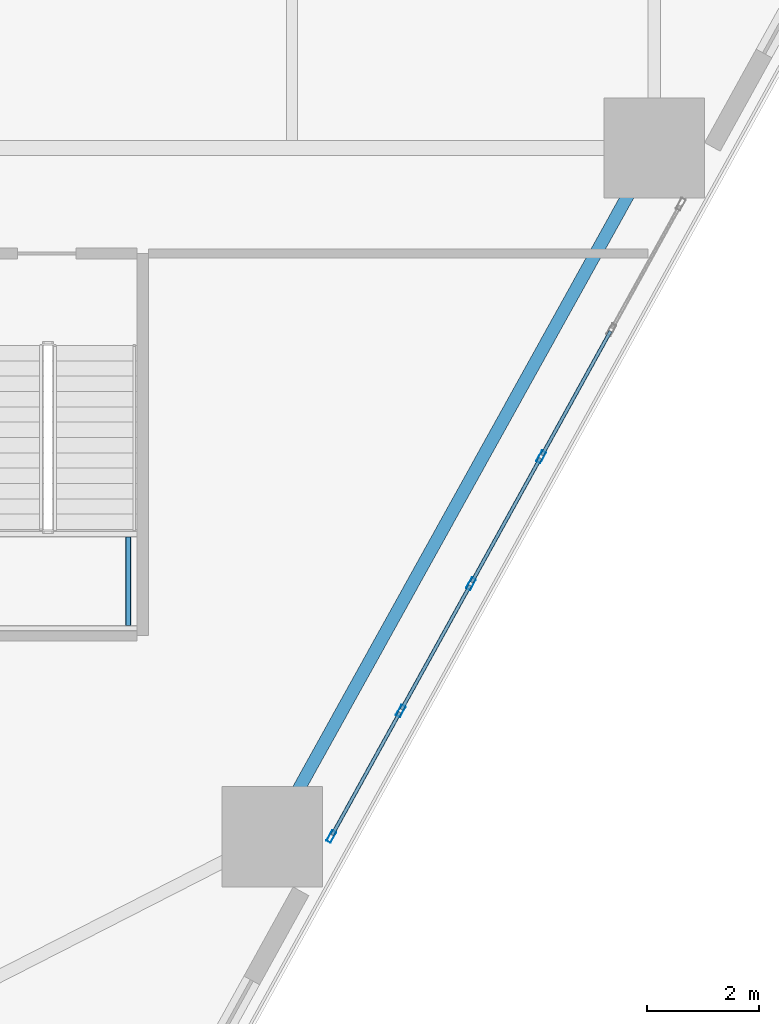
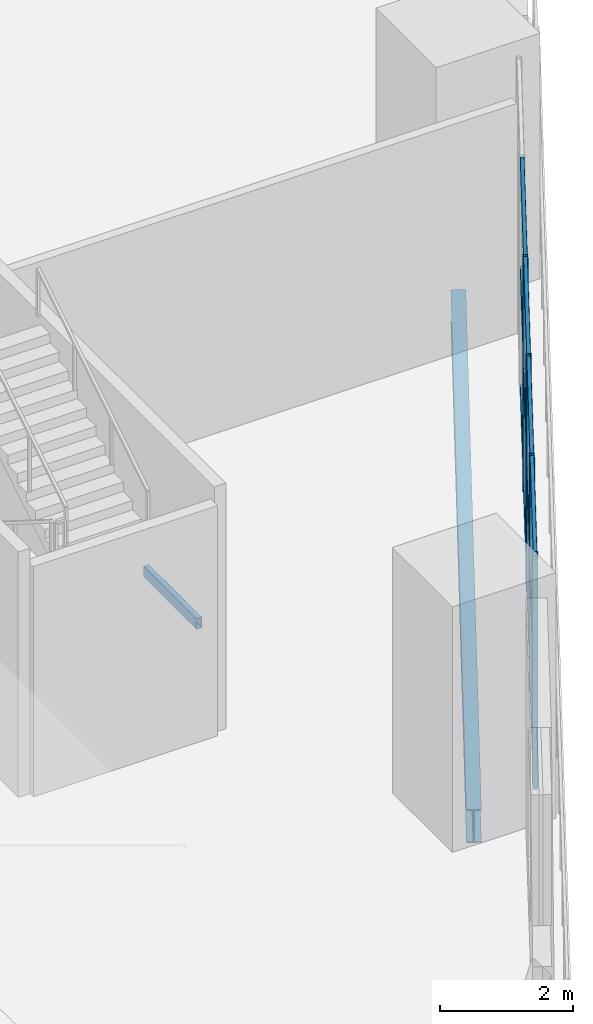
# One storey, part 2 of 18: 16 members, 2 beams, 1 element without a shape of its own.
"""IFC4 building model written with IfcOpenShell, lengths in metres."""

from ifc_helpers import new_model, si_unit, direction, frame, origin, origin_2d, place, context, subcontext, project, spatial, hollow_rectangle, i_section, extrude, material, layer, layer_set, material_profile, profile_set, type_object, element, aggregate, save


model = new_model("IFC4")

# Units and contexts
model_context = context("Model", 3, precision=1e-05, world=origin(), true_north=direction((0.0, 1.0)))
body_context = subcontext(model_context, "Body", "Model", "MODEL_VIEW")
ifc_project = project(units=[si_unit("LENGTHUNIT", "METRE"), si_unit("AREAUNIT", "SQUARE_METRE"), si_unit("VOLUMEUNIT", "CUBIC_METRE"), si_unit("PLANEANGLEUNIT", "RADIAN"), si_unit("MASSUNIT", "GRAM", prefix="KILO")], contexts=[model_context])

# Site, building, storey
site_placement = place(None, origin())
site = spatial("IfcSite", under=ifc_project, at=site_placement, CompositionType="ELEMENT")
building_placement = place(site_placement, origin())
building = spatial("IfcBuilding", under=site, at=building_placement, Name="Cinnabar Lancet Tower", CompositionType="ELEMENT")
storey_placement = place(building_placement, frame((0.0, 0.0, 15.0)))
storey = spatial("IfcBuildingStorey", under=building, at=storey_placement, Name="L03", CompositionType="ELEMENT", Elevation=15.0)

# Curtain wall, members
ifc_material_1 = material(Name="Thermally broken bronze-anodized aluminium and low-E glass", Category="aluminium")
ifc_layer = layer(ifc_material_1, 0.179931640625)
ifc_layer_set = layer_set([ifc_layer], Name="Thermally broken bronze-anodized aluminium and low-E glass")
curtain_wall_type = type_object("IfcCurtainWallType", Name="ENV-CW-SYS-02", PredefinedType="NOTDEFINED", material=ifc_layer_set)
curtain_wall_placement = place(storey_placement, origin())
curtain_wall = element("IfcCurtainWall", 1, at=curtain_wall_placement, inside=storey, type_object=curtain_wall_type, Name="L03 Face 2 Feature Curtain Wall", PredefinedType="NOTDEFINED")
ifc_material_2 = material(Name="Anodized architectural aluminium 6063-T6", Category="aluminium")
ifc_material_profile_1 = material_profile(ifc_material_2, hollow_rectangle(XDim=0.0849609375, YDim=0.219970703125, WallThickness=0.0048828125, InnerFilletRadius=0.00244140625, OuterFilletRadius=0.007568359375, at=origin_2d()), Name="CW-MUL 220x85x5")
ifc_profile_set_1 = profile_set([ifc_material_profile_1], Name="Anodized architectural aluminium 6063-T6")
member_type_1 = type_object("IfcMemberType", Name="ENV-CW-MUL-220", PredefinedType="MULLION", material=ifc_profile_set_1)
member_1_placement = place(storey_placement, frame((54.1005859375, 7.34619140625, 0.0), z_axis=(0.0, 0.0, 1.0), x_axis=(-0.875242391442, 0.48368456273, 0.0)))
member_1 = element("IfcMember", 2, at=member_1_placement, type_object=member_type_1, Name="CW-02 mullion 1", PredefinedType="MULLION", context=body_context, shape_type="SweptSolid", body=[
    extrude(hollow_rectangle(XDim=0.0849609375, YDim=0.219970703125, WallThickness=0.0048828125, InnerFilletRadius=0.00244140625, OuterFilletRadius=0.007568359375, at=origin_2d()), origin(), (0.0, 0.0, 1.0), 4.219970703125),
])
member_2_placement = place(storey_placement, frame((55.344970703125, 9.59814453125, 0.0), z_axis=(0.0, 0.0, 1.0), x_axis=(-0.875242391442, 0.48368456273, 0.0)))
member_2 = element("IfcMember", 3, at=member_2_placement, type_object=member_type_1, Name="CW-02 mullion 2", PredefinedType="MULLION", context=body_context, shape_type="SweptSolid", body=[
    extrude(hollow_rectangle(XDim=0.0849609375, YDim=0.219970703125, WallThickness=0.0048828125, InnerFilletRadius=0.00244140625, OuterFilletRadius=0.007568359375, at=origin_2d()), origin(), (0.0, 0.0, 1.0), 4.219970703125),
])
member_3_placement = place(storey_placement, frame((56.60400390625, 11.87646484375, 0.0), z_axis=(0.0, 0.0, 1.0), x_axis=(-0.875242391442, 0.48368456273, 0.0)))
member_3 = element("IfcMember", 4, at=member_3_placement, type_object=member_type_1, Name="CW-02 mullion 3", PredefinedType="MULLION", context=body_context, shape_type="SweptSolid", body=[
    extrude(hollow_rectangle(XDim=0.0849609375, YDim=0.219970703125, WallThickness=0.0048828125, InnerFilletRadius=0.00244140625, OuterFilletRadius=0.007568359375, at=origin_2d()), origin(), (0.0, 0.0, 1.0), 4.219970703125),
])
member_4_placement = place(storey_placement, frame((57.863037109375, 14.154541015625, 0.0), z_axis=(0.0, 0.0, 1.0), x_axis=(-0.875242391442, 0.48368456273, 0.0)))
member_4 = element("IfcMember", 5, at=member_4_placement, type_object=member_type_1, Name="CW-02 mullion 4", PredefinedType="MULLION", context=body_context, shape_type="SweptSolid", body=[
    extrude(hollow_rectangle(XDim=0.0849609375, YDim=0.219970703125, WallThickness=0.0048828125, InnerFilletRadius=0.00244140625, OuterFilletRadius=0.007568359375, at=origin_2d()), origin(), (0.0, 0.0, 1.0), 4.219970703125),
])
ifc_material_3 = material(Name="Anodized architectural aluminium 6063-T6", Category="aluminium")
ifc_material_profile_2 = material_profile(ifc_material_3, hollow_rectangle(XDim=0.06494140625, YDim=0.14990234375, WallThickness=0.00390625, InnerFilletRadius=0.001953125, OuterFilletRadius=0.006103515625, at=origin_2d()), Name="CW-TRN 150x65x4")
ifc_profile_set_2 = profile_set([ifc_material_profile_2], Name="Anodized architectural aluminium 6063-T6")
member_type_2 = type_object("IfcMemberType", Name="ENV-CW-TRN-160", PredefinedType="USERDEFINED", material=ifc_profile_set_2)
member_5_placement = place(storey_placement, frame((54.114990234375, 7.37255859375, 0.030029296875), z_axis=(0.483711571576, 0.875227465019, 0.0), x_axis=(-0.875227465019, 0.483711571576, 0.0)))
member_5 = element("IfcMember", 6, at=member_5_placement, type_object=member_type_2, Name="CW-02 transom 1.1", ObjectType="TRANSOM", PredefinedType="USERDEFINED", context=body_context, shape_type="SweptSolid", body=[
    extrude(hollow_rectangle(XDim=0.06494140625, YDim=0.14990234375, WallThickness=0.00390625, InnerFilletRadius=0.001953125, OuterFilletRadius=0.006103515625, at=origin_2d()), origin(), (0.0, 0.0, 1.0), 2.512939453125),
])
member_6_placement = place(storey_placement, frame((54.114990234375, 7.37255859375, 2.194091796875), z_axis=(0.483711571576, 0.875227465019, 0.0), x_axis=(-0.875227465019, 0.483711571576, 0.0)))
member_6 = element("IfcMember", 7, at=member_6_placement, type_object=member_type_2, Name="CW-02 transom 1.2", ObjectType="TRANSOM", PredefinedType="USERDEFINED", context=body_context, shape_type="SweptSolid", body=[
    extrude(hollow_rectangle(XDim=0.06494140625, YDim=0.14990234375, WallThickness=0.00390625, InnerFilletRadius=0.001953125, OuterFilletRadius=0.006103515625, at=origin_2d()), origin(), (0.0, 0.0, 1.0), 2.512939453125),
])
member_7_placement = place(storey_placement, frame((54.114990234375, 7.37255859375, 4.18994140625), z_axis=(0.483711571576, 0.875227465019, 0.0), x_axis=(-0.875227465019, 0.483711571576, 0.0)))
member_7 = element("IfcMember", 8, at=member_7_placement, type_object=member_type_2, Name="CW-02 transom 1.3", ObjectType="TRANSOM", PredefinedType="USERDEFINED", context=body_context, shape_type="SweptSolid", body=[
    extrude(hollow_rectangle(XDim=0.06494140625, YDim=0.14990234375, WallThickness=0.00390625, InnerFilletRadius=0.001953125, OuterFilletRadius=0.006103515625, at=origin_2d()), origin(), (0.0, 0.0, 1.0), 2.512939453125),
])
member_8_placement = place(storey_placement, frame((55.359619140625, 9.62451171875, 0.030029296875), z_axis=(0.483701595558, 0.875232978386, 0.0), x_axis=(-0.875232978386, 0.483701595558, 0.0)))
member_8 = element("IfcMember", 9, at=member_8_placement, type_object=member_type_2, Name="CW-02 transom 2.1", ObjectType="TRANSOM", PredefinedType="USERDEFINED", context=body_context, shape_type="SweptSolid", body=[
    extrude(hollow_rectangle(XDim=0.06494140625, YDim=0.14990234375, WallThickness=0.00390625, InnerFilletRadius=0.001953125, OuterFilletRadius=0.006103515625, at=origin_2d()), origin(), (0.0, 0.0, 1.0), 2.54296875),
])
member_9_placement = place(storey_placement, frame((55.359619140625, 9.62451171875, 2.194091796875), z_axis=(0.483701595558, 0.875232978386, 0.0), x_axis=(-0.875232978386, 0.483701595558, 0.0)))
member_9 = element("IfcMember", 10, at=member_9_placement, type_object=member_type_2, Name="CW-02 transom 2.2", ObjectType="TRANSOM", PredefinedType="USERDEFINED", context=body_context, shape_type="SweptSolid", body=[
    extrude(hollow_rectangle(XDim=0.06494140625, YDim=0.14990234375, WallThickness=0.00390625, InnerFilletRadius=0.001953125, OuterFilletRadius=0.006103515625, at=origin_2d()), origin(), (0.0, 0.0, 1.0), 2.54296875),
])
member_10_placement = place(storey_placement, frame((55.359619140625, 9.62451171875, 4.18994140625), z_axis=(0.483701595558, 0.875232978386, 0.0), x_axis=(-0.875232978386, 0.483701595558, 0.0)))
member_10 = element("IfcMember", 11, at=member_10_placement, type_object=member_type_2, Name="CW-02 transom 2.3", ObjectType="TRANSOM", PredefinedType="USERDEFINED", context=body_context, shape_type="SweptSolid", body=[
    extrude(hollow_rectangle(XDim=0.06494140625, YDim=0.14990234375, WallThickness=0.00390625, InnerFilletRadius=0.001953125, OuterFilletRadius=0.006103515625, at=origin_2d()), origin(), (0.0, 0.0, 1.0), 2.54296875),
])
member_11_placement = place(storey_placement, frame((56.618408203125, 11.902587890625, 0.030029296875), z_axis=(0.483660952196, 0.875255438898, 0.0), x_axis=(-0.875255438898, 0.483660952196, 0.0)))
member_11 = element("IfcMember", 12, at=member_11_placement, type_object=member_type_2, Name="CW-02 transom 3.1", ObjectType="TRANSOM", PredefinedType="USERDEFINED", context=body_context, shape_type="SweptSolid", body=[
    extrude(hollow_rectangle(XDim=0.06494140625, YDim=0.14990234375, WallThickness=0.00390625, InnerFilletRadius=0.001953125, OuterFilletRadius=0.006103515625, at=origin_2d()), origin(), (0.0, 0.0, 1.0), 2.54296875),
])
member_12_placement = place(storey_placement, frame((56.618408203125, 11.902587890625, 2.194091796875), z_axis=(0.483660952196, 0.875255438898, 0.0), x_axis=(-0.875255438898, 0.483660952196, 0.0)))
member_12 = element("IfcMember", 13, at=member_12_placement, type_object=member_type_2, Name="CW-02 transom 3.2", ObjectType="TRANSOM", PredefinedType="USERDEFINED", context=body_context, shape_type="SweptSolid", body=[
    extrude(hollow_rectangle(XDim=0.06494140625, YDim=0.14990234375, WallThickness=0.00390625, InnerFilletRadius=0.001953125, OuterFilletRadius=0.006103515625, at=origin_2d()), origin(), (0.0, 0.0, 1.0), 2.54296875),
])
member_13_placement = place(storey_placement, frame((56.618408203125, 11.902587890625, 4.18994140625), z_axis=(0.483660952196, 0.875255438898, 0.0), x_axis=(-0.875255438898, 0.483660952196, 0.0)))
member_13 = element("IfcMember", 14, at=member_13_placement, type_object=member_type_2, Name="CW-02 transom 3.3", ObjectType="TRANSOM", PredefinedType="USERDEFINED", context=body_context, shape_type="SweptSolid", body=[
    extrude(hollow_rectangle(XDim=0.06494140625, YDim=0.14990234375, WallThickness=0.00390625, InnerFilletRadius=0.001953125, OuterFilletRadius=0.006103515625, at=origin_2d()), origin(), (0.0, 0.0, 1.0), 2.54296875),
])
member_14_placement = place(storey_placement, frame((57.87744140625, 14.180908203125, 0.030029296875), z_axis=(0.483701595558, 0.875232978386, 0.0), x_axis=(-0.875232978386, 0.483701595558, 0.0)))
member_14 = element("IfcMember", 15, at=member_14_placement, type_object=member_type_2, Name="CW-02 transom 4.1", ObjectType="TRANSOM", PredefinedType="USERDEFINED", context=body_context, shape_type="SweptSolid", body=[
    extrude(hollow_rectangle(XDim=0.06494140625, YDim=0.14990234375, WallThickness=0.00390625, InnerFilletRadius=0.001953125, OuterFilletRadius=0.006103515625, at=origin_2d()), origin(), (0.0, 0.0, 1.0), 2.54296875),
])
member_15_placement = place(storey_placement, frame((57.87744140625, 14.180908203125, 2.194091796875), z_axis=(0.483701595558, 0.875232978386, 0.0), x_axis=(-0.875232978386, 0.483701595558, 0.0)))
member_15 = element("IfcMember", 16, at=member_15_placement, type_object=member_type_2, Name="CW-02 transom 4.2", ObjectType="TRANSOM", PredefinedType="USERDEFINED", context=body_context, shape_type="SweptSolid", body=[
    extrude(hollow_rectangle(XDim=0.06494140625, YDim=0.14990234375, WallThickness=0.00390625, InnerFilletRadius=0.001953125, OuterFilletRadius=0.006103515625, at=origin_2d()), origin(), (0.0, 0.0, 1.0), 2.54296875),
])
member_16_placement = place(storey_placement, frame((57.87744140625, 14.180908203125, 4.18994140625), z_axis=(0.483701595558, 0.875232978386, 0.0), x_axis=(-0.875232978386, 0.483701595558, 0.0)))
member_16 = element("IfcMember", 17, at=member_16_placement, type_object=member_type_2, Name="CW-02 transom 4.3", ObjectType="TRANSOM", PredefinedType="USERDEFINED", context=body_context, shape_type="SweptSolid", body=[
    extrude(hollow_rectangle(XDim=0.06494140625, YDim=0.14990234375, WallThickness=0.00390625, InnerFilletRadius=0.001953125, OuterFilletRadius=0.006103515625, at=origin_2d()), origin(), (0.0, 0.0, 1.0), 2.54296875),
])
aggregate(curtain_wall, [member_1, member_2, member_3, member_4, member_5, member_6, member_7, member_8, member_9, member_10, member_11, member_12, member_13, member_14, member_15, member_16])

# Beams
ifc_material_4 = material(Name="Structural steel S355", Category="steel")
ifc_material_profile_3 = material_profile(ifc_material_4, hollow_rectangle(XDim=0.10009765625, YDim=0.199951171875, WallThickness=0.008056640625, InnerFilletRadius=0.00390625, OuterFilletRadius=0.011962890625, at=origin_2d()), Name="RHS 200x100x8")
ifc_profile_set_3 = profile_set([ifc_material_profile_3], Name="Structural steel S355")
beam_type_1 = type_object("IfcBeamType", Name="STR-BM-LND-203", PredefinedType="BEAM", material=ifc_profile_set_3)
beam_1_placement = place(storey_placement, frame((50.4599609375, 11.1298828125, 1.949951171875), z_axis=(0.0, 1.0, 0.0), x_axis=(-1.0, 0.0, 0.0)))
element("IfcBeam", 18, at=beam_1_placement, inside=storey, type_object=beam_type_1, Name="L03 ST-4-L03 Landing Side Trimmer Beam", PredefinedType="BEAM", context=body_context, shape_type="SweptSolid", body=[
    extrude(hollow_rectangle(XDim=0.10009765625, YDim=0.199951171875, WallThickness=0.008056640625, InnerFilletRadius=0.00390625, OuterFilletRadius=0.011962890625, at=origin_2d()), origin(), (0.0, 0.0, 1.0), 1.590087890625),
])
ifc_material_5 = material(Name="Structural steel S355", Category="steel")
ifc_material_profile_4 = material_profile(ifc_material_5, i_section(OverallWidth=0.228271484375, OverallDepth=0.607666015625, WebThickness=0.010986328125, FlangeThickness=0.017333984375, FilletRadius=0.0126953125, at=origin_2d()), Name="UKB 610x229x113")
ifc_profile_set_4 = profile_set([ifc_material_profile_4], Name="Structural steel S355")
beam_type_2 = type_object("IfcBeamType", Name="STR-BM-SPN-610", PredefinedType="SPANDREL", material=ifc_profile_set_4)
beam_2_placement = place(storey_placement, frame((53.1640625, 7.56298828125, -0.553955078125), z_axis=(0.485044660428, 0.874489380947, 0.0), x_axis=(-0.874489380947, 0.485044660428, 0.0)))
element("IfcBeam", 19, at=beam_2_placement, inside=storey, type_object=beam_type_2, Name="L03 Perimeter Spandrel 3", PredefinedType="SPANDREL", context=body_context, shape_type="SweptSolid", body=[
    extrude(i_section(OverallWidth=0.228271484375, OverallDepth=0.607666015625, WebThickness=0.010986328125, FlangeThickness=0.017333984375, FilletRadius=0.0126953125, at=origin_2d()), origin(), (0.0, 0.0, 1.0), 13.619384765625),
])

save(model, "model.ifc")
